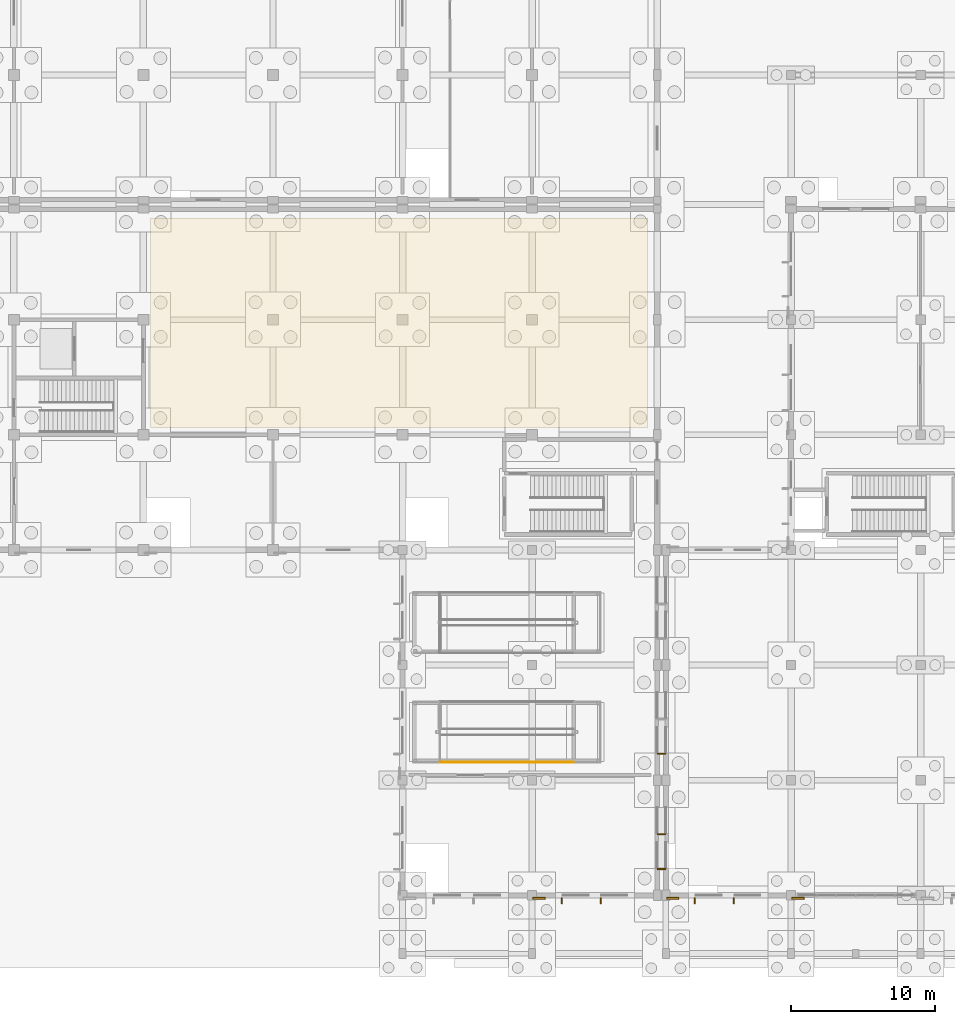
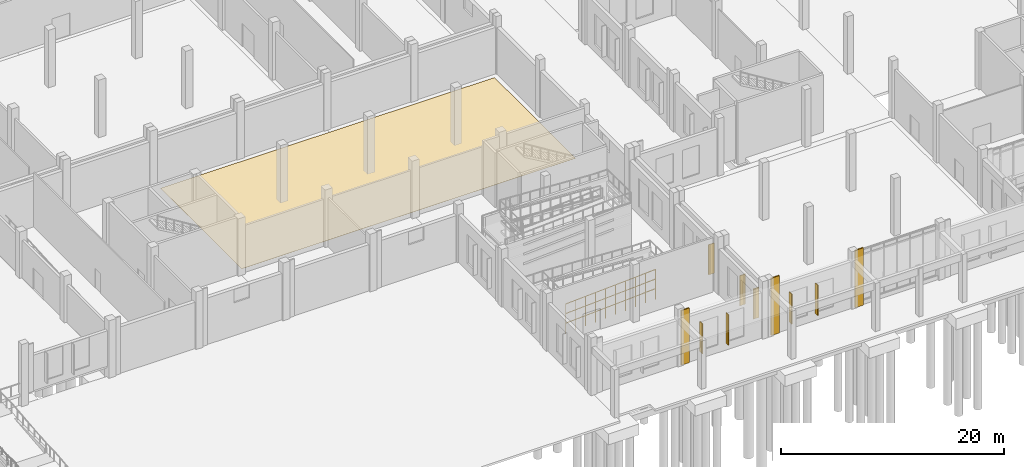
# One storey, part 80 of 99: 10 shading devices, 4 coverings, 3 railings.
"""IFC4 building model written with IfcOpenShell, lengths in metres."""

from ifc_helpers import new_model, si_unit, direction, frame, origin, origin_2d, place, context, subcontext, project, spatial, polyline, rectangle, circle, outline, extrude, material, layer, layer_set, type_object, element, save


model = new_model("IFC4")

# Units and contexts
model_context = context("Model", 3, precision=1e-05, world=origin(), true_north=direction((0.0, 1.0)))
body_context = subcontext(model_context, "Body", "Model", "MODEL_VIEW")
ifc_project = project(units=[si_unit("LENGTHUNIT", "METRE"), si_unit("AREAUNIT", "SQUARE_METRE"), si_unit("VOLUMEUNIT", "CUBIC_METRE"), si_unit("PLANEANGLEUNIT", "RADIAN"), si_unit("MASSUNIT", "GRAM", prefix="KILO")], contexts=[model_context])

# Site, building, storey
site_placement = place(None, origin())
site = spatial("IfcSite", under=ifc_project, at=site_placement, CompositionType="ELEMENT")
building_placement = place(site_placement, origin())
building = spatial("IfcBuilding", under=site, at=building_placement, Name="Zacnel Wholesale Market", CompositionType="ELEMENT")
storey_placement = place(building_placement, origin())
storey = spatial("IfcBuildingStorey", under=building, at=storey_placement, Name="L01", CompositionType="ELEMENT", Elevation=0.0)

# Coverings
ifc_material_1 = material(Name="Honed Yucatan Maya cream limestone", Category="masonry")
ifc_layer_1 = layer(ifc_material_1, 0.090087890625)
ifc_layer_set_1 = layer_set([ifc_layer_1], Name="Honed Yucatan Maya cream limestone")
covering_type_1 = type_object("IfcCoveringType", Name="COV-CLAD-FRET", PredefinedType="CLADDING", material=ifc_layer_set_1)
covering_1_placement = place(storey_placement, frame((63.47998046875, -0.2099609375, 0.02001953125), z_axis=(0.0, 0.0, 1.0), x_axis=(1.0, 0.0, 0.0)))
element("IfcCovering", 1, at=covering_1_placement, inside=storey, type_object=covering_type_1, Name="Fluted Mayan-Deco limestone pilaster L01-0027", PredefinedType="CLADDING", context=body_context, shape_type="SweptSolid", body=[
    extrude(rectangle(XDim=0.85009765625, YDim=0.1201171875, at=origin_2d()), origin(), (0.0, 0.0, 1.0), 5.97998046875),
])
for number, where, z_axis, x_axis, name in (
    (2, (72.780029296875, -0.2099609375, 0.02001953125), (0.0, 0.0, 1.0), (1.0, 0.0, 0.0), "Fluted Mayan-Deco limestone pilaster L01-0031"),
    (3, (81.47998046875, -0.2099609375, 0.02001953125), (0.0, 0.0, 1.0), (1.0, 0.0, 0.0), "Fluted Mayan-Deco limestone pilaster L01-0032"),
):
    element("IfcCovering", number, at=place(storey_placement, frame(where, z_axis=z_axis, x_axis=x_axis)), inside=storey, type_object=covering_type_1, Name=name, PredefinedType="CLADDING", context=body_context, shape_type="SweptSolid", body=[
        extrude(rectangle(XDim=0.85009765625, YDim=0.1201171875, at=origin_2d()), origin(), (0.0, 0.0, 1.0), 6.260009765625),
    ])
ifc_material_2 = material(Name="Food-grade epoxy resin flooring")
ifc_layer_2 = layer(ifc_material_2, 0.011962890625)
ifc_layer_set_2 = layer_set([ifc_layer_2], Name="Food-grade epoxy resin flooring")
covering_type_2 = type_object("IfcCoveringType", Name="COV-FLR-EPOXY-12", PredefinedType="FLOORING", material=ifc_layer_set_2)
covering_2_placement = place(storey_placement, origin())
element("IfcCovering", 4, at=covering_2_placement, inside=storey, type_object=covering_type_2, Name="Hygienic epoxy floor finish L01-309", PredefinedType="FLOORING", context=body_context, shape_type="SweptSolid", body=[
    extrude(outline(polyline([(36.5, 32.5), (71.050048828125, 32.5), (71.050048828125, 47.050048828125), (36.5, 47.050048828125), (36.5, 32.5)])), origin(), (0.0, 0.0, 1.0), 0.011962890625),
])

# Railings
ifc_material_3 = material(Name="Galvanized steel", Category="steel")
railing_type = type_object("IfcRailingType", Name="RAL-STAIR-GD1150", PredefinedType="BALUSTRADE", material=ifc_material_3)
for number, where, name in (
    (5, (56.60009765625, 9.25, 0.0), "Accessible ramp RP-03 (RMP-PROM-1A) balustrade 1"),
    (6, (56.60009765625, 9.25, 1.050048828125), "Accessible ramp RP-03 (RMP-PROM-1A) balustrade 3"),
    (7, (56.60009765625, 9.25, 2.10009765625), "Accessible ramp RP-03 (RMP-PROM-1A) balustrade 5"),
):
    element("IfcRailing", number, at=place(storey_placement, frame(where)), inside=storey, type_object=railing_type, Name=name, PredefinedType="BALUSTRADE", context=body_context, shape_type="SweptSolid", body=[
        extrude(circle(Radius=0.0224609375, at=origin_2d()), frame((0.0, 0.0, 1.12744140625), z_axis=(0.998408262426, 0.0, 0.056399836159), x_axis=(0.0, 1.0, 0.0)), (0.0, 0.0, 1.0), 9.306884765625),
        extrude(circle(Radius=0.02001953125, at=origin_2d()), origin(), (0.0, 0.0, 1.0), 1.10498046875),
        extrude(circle(Radius=0.02001953125, at=origin_2d()), frame((1.032470703125, 0.0, 0.058349609375)), (0.0, 0.0, 1.0), 1.10498046875),
        extrude(circle(Radius=0.02001953125, at=origin_2d()), frame((2.06494140625, 0.0, 0.11669921875)), (0.0, 0.0, 1.0), 1.10498046875),
        extrude(circle(Radius=0.02001953125, at=origin_2d()), frame((3.097412109375, 0.0, 0.175048828125)), (0.0, 0.0, 1.0), 1.10498046875),
        extrude(circle(Radius=0.02001953125, at=origin_2d()), frame((4.1298828125, 0.0, 0.2333984375)), (0.0, 0.0, 1.0), 1.10498046875),
        extrude(circle(Radius=0.02001953125, at=origin_2d()), frame((5.162109375, 0.0, 0.29150390625)), (0.0, 0.0, 1.0), 1.10498046875),
        extrude(circle(Radius=0.02001953125, at=origin_2d()), frame((6.194580078125, 0.0, 0.349853515625)), (0.0, 0.0, 1.0), 1.10498046875),
        extrude(circle(Radius=0.02001953125, at=origin_2d()), frame((7.22705078125, 0.0, 0.408203125)), (0.0, 0.0, 1.0), 1.10498046875),
        extrude(circle(Radius=0.02001953125, at=origin_2d()), frame((8.259521484375, 0.0, 0.466552734375)), (0.0, 0.0, 1.0), 1.10498046875),
        extrude(circle(Radius=0.02001953125, at=origin_2d()), frame((9.2919921875, 0.0, 0.52490234375)), (0.0, 0.0, 1.0), 1.10498046875),
    ])

# Shading devices
ifc_material_4 = material(Name="Honed Yucatan Maya cream limestone", Category="masonry")
shading_device_type = type_object("IfcShadingDeviceType", Name="SHD-FIN-V450", PredefinedType="USERDEFINED", material=ifc_material_4)
for number, where, z_axis, x_axis, name in (
    (8, (65.06494140625, -0.3798828125, 0.77490234375), (0.0, 0.0, 1.0), (1.0, 0.0, 0.0), "Limestone sunshade fin 0009"),
    (9, (67.764892578125, -0.3798828125, 0.77490234375), (0.0, 0.0, 1.0), (1.0, 0.0, 0.0), "Limestone sunshade fin 0010"),
    (10, (72.080078125, 1.83203125, 0.77490234375), (0.0, 0.0, 1.0), (0.0, 1.0, 0.0), "Limestone sunshade fin 0017"),
    (11, (72.080078125, 4.248046875, 0.77490234375), (0.0, 0.0, 1.0), (0.0, 1.0, 0.0), "Limestone sunshade fin 0018"),
    (12, (72.080078125, 9.83203125, 0.77490234375), (0.0, 0.0, 1.0), (0.0, 1.0, 0.0), "Limestone sunshade fin 0019"),
    (13, (74.31494140625, -0.3798828125, 0.77490234375), (0.0, 0.0, 1.0), (1.0, 0.0, 0.0), "Limestone sunshade fin 0023"),
    (14, (77.014892578125, -0.3798828125, 0.77490234375), (0.0, 0.0, 1.0), (1.0, 0.0, 0.0), "Limestone sunshade fin 0024"),
    (15, (71.919921875, 1.83203125, 0.77490234375), (0.0, 0.0, 1.0), (0.0, 1.0, 0.0), "Limestone sunshade fin 0027"),
    (16, (71.919921875, 4.248046875, 0.77490234375), (0.0, 0.0, 1.0), (0.0, 1.0, 0.0), "Limestone sunshade fin 0028"),
    (17, (71.919921875, 9.83203125, 0.77490234375), (0.0, 0.0, 1.0), (0.0, 1.0, 0.0), "Limestone sunshade fin 0029"),
):
    element("IfcShadingDevice", number, at=place(storey_placement, frame(where, z_axis=z_axis, x_axis=x_axis)), inside=storey, type_object=shading_device_type, Name=name, ObjectType="SUNSHADE", PredefinedType="USERDEFINED", context=body_context, shape_type="SweptSolid", body=[
        extrude(rectangle(XDim=0.080078125, YDim=0.43994140625, at=origin_2d()), origin(), (0.0, 0.0, 1.0), 3.300048828125),
    ])

save(model, "model.ifc")
